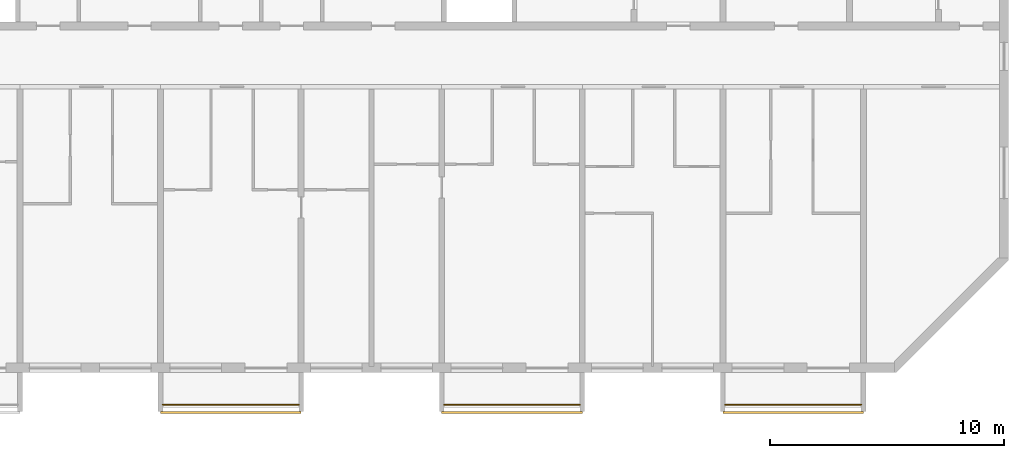
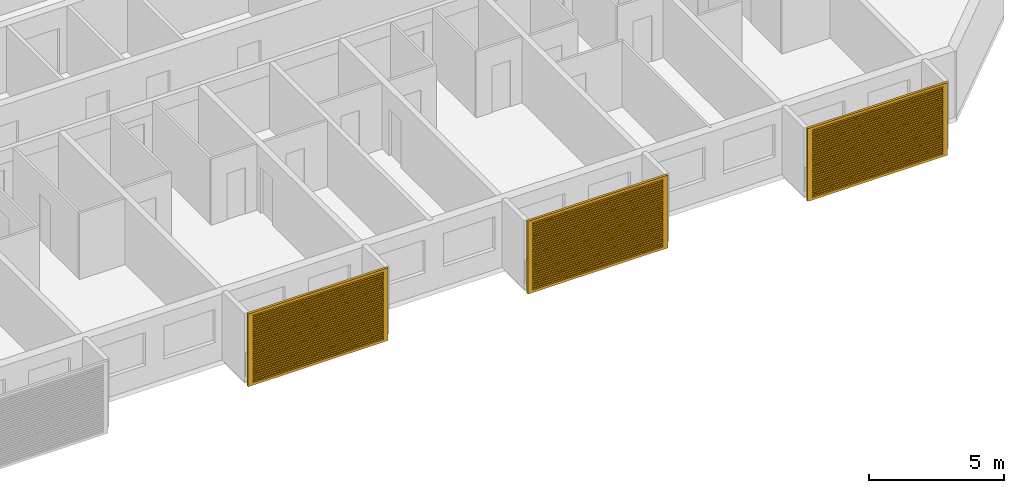
# One storey, part 16 of 20: 3 railings, 3 shading devices.
"""IFC4 building model written with IfcOpenShell, lengths in metres."""

from ifc_helpers import new_model, si_unit, direction, frame, origin, origin_2d, place, context, subcontext, project, spatial, polyline, circle, outline, extrude, source, transform, mapped, material, material_profile, profile_set, type_object, element, save


model = new_model("IFC4")

# Units and contexts
model_context = context("Model", 3, precision=1e-05, world=origin(), true_north=direction((0.0, 1.0)))
body_context = subcontext(model_context, "Body", "Model", "MODEL_VIEW")
ifc_project = project(units=[si_unit("LENGTHUNIT", "METRE"), si_unit("AREAUNIT", "SQUARE_METRE"), si_unit("VOLUMEUNIT", "CUBIC_METRE"), si_unit("PLANEANGLEUNIT", "RADIAN"), si_unit("MASSUNIT", "GRAM", prefix="KILO")], contexts=[model_context])

# Site, building, storey
site_placement = place(None, origin())
site = spatial("IfcSite", under=ifc_project, at=site_placement, CompositionType="ELEMENT")
building_placement = place(site_placement, origin())
building = spatial("IfcBuilding", under=site, at=building_placement, Name="Poui Terraces", CompositionType="ELEMENT")
storey_placement = place(building_placement, frame((0.0, 0.0, 257.699951171875)))
storey = spatial("IfcBuildingStorey", under=building, at=storey_placement, Name="L72", CompositionType="ELEMENT", Elevation=257.699951171875)

# Railings
ifc_material_1 = material(Name="Painted steel fretwork", Category="steel")
railing_type = type_object("IfcRailingType", Name="BALCONY GUARD 1100", PredefinedType="GUARDRAIL", material=ifc_material_1)
for number, where, name in (
    (1, (48.10009765625, -1.570068359375, 0.0), "BALCONY GUARD"),
    (2, (60.10009765625, -1.570068359375, 0.0), "BALCONY GUARD"),
    (3, (72.10009765625, -1.570068359375, 0.0), "BALCONY GUARD"),
):
    element("IfcRailing", number, at=place(storey_placement, frame(where)), inside=storey, type_object=railing_type, Name=name, PredefinedType="GUARDRAIL", context=body_context, shape_type="SweptSolid", body=[
        extrude(circle(Radius=0.02392578125, at=origin_2d()), frame((0.0, 0.0, 1.076171875), z_axis=(1.0, 0.0, 0.0), x_axis=(0.0, 1.0, 0.0)), (0.0, 0.0, 1.0), 5.7998046875),
        extrude(circle(Radius=0.02099609375, at=origin_2d()), origin(), (0.0, 0.0, 1.0), 1.052001953125),
        extrude(circle(Radius=0.02099609375, at=origin_2d()), frame((0.966552734375, 0.0, 0.0)), (0.0, 0.0, 1.0), 1.052001953125),
        extrude(circle(Radius=0.02099609375, at=origin_2d()), frame((1.933349609375, 0.0, 0.0)), (0.0, 0.0, 1.0), 1.052001953125),
        extrude(circle(Radius=0.02099609375, at=origin_2d()), frame((2.89990234375, 0.0, 0.0)), (0.0, 0.0, 1.0), 1.052001953125),
        extrude(circle(Radius=0.02099609375, at=origin_2d()), frame((3.866455078125, 0.0, 0.0)), (0.0, 0.0, 1.0), 1.052001953125),
        extrude(circle(Radius=0.02099609375, at=origin_2d()), frame((4.833251953125, 0.0, 0.0)), (0.0, 0.0, 1.0), 1.052001953125),
        extrude(circle(Radius=0.02099609375, at=origin_2d()), frame((5.7998046875, 0.0, 0.0)), (0.0, 0.0, 1.0), 1.052001953125),
    ])

# Shading devices
ifc_material_2 = material(Name="Aluminium louvre", Category="aluminium")
ifc_material_profile = material_profile(ifc_material_2, outline(polyline([(-3.0, -1.64990234375), (3.0, -1.64990234375), (3.0, 1.64990234375), (-3.0, 1.64990234375), (-3.0, -1.64990234375)]), holes=[polyline([(-2.800048828125, -1.530029296875), (2.800048828125, -1.530029296875), (2.800048828125, -1.469970703125), (-2.800048828125, -1.469970703125), (-2.800048828125, -1.530029296875)]), polyline([(-2.800048828125, -1.429931640625), (2.800048828125, -1.429931640625), (2.800048828125, -1.3701171875), (-2.800048828125, -1.3701171875), (-2.800048828125, -1.429931640625)]), polyline([(-2.800048828125, -1.330078125), (2.800048828125, -1.330078125), (2.800048828125, -1.27001953125), (-2.800048828125, -1.27001953125), (-2.800048828125, -1.330078125)]), polyline([(-2.800048828125, -1.22998046875), (2.800048828125, -1.22998046875), (2.800048828125, -1.169921875), (-2.800048828125, -1.169921875), (-2.800048828125, -1.22998046875)]), polyline([(-2.800048828125, -1.1298828125), (2.800048828125, -1.1298828125), (2.800048828125, -1.070068359375), (-2.800048828125, -1.070068359375), (-2.800048828125, -1.1298828125)]), polyline([(-2.800048828125, -1.030029296875), (2.800048828125, -1.030029296875), (2.800048828125, -0.969970703125), (-2.800048828125, -0.969970703125), (-2.800048828125, -1.030029296875)]), polyline([(-2.800048828125, -0.929931640625), (2.800048828125, -0.929931640625), (2.800048828125, -0.8701171875), (-2.800048828125, -0.8701171875), (-2.800048828125, -0.929931640625)]), polyline([(-2.800048828125, -0.830078125), (2.800048828125, -0.830078125), (2.800048828125, -0.77001953125), (-2.800048828125, -0.77001953125), (-2.800048828125, -0.830078125)]), polyline([(-2.800048828125, -0.72998046875), (2.800048828125, -0.72998046875), (2.800048828125, -0.669921875), (-2.800048828125, -0.669921875), (-2.800048828125, -0.72998046875)]), polyline([(-2.800048828125, -0.6298828125), (2.800048828125, -0.6298828125), (2.800048828125, -0.570068359375), (-2.800048828125, -0.570068359375), (-2.800048828125, -0.6298828125)]), polyline([(-2.800048828125, -0.530029296875), (2.800048828125, -0.530029296875), (2.800048828125, -0.469970703125), (-2.800048828125, -0.469970703125), (-2.800048828125, -0.530029296875)]), polyline([(-2.800048828125, -0.429931640625), (2.800048828125, -0.429931640625), (2.800048828125, -0.3701171875), (-2.800048828125, -0.3701171875), (-2.800048828125, -0.429931640625)]), polyline([(-2.800048828125, -0.330078125), (2.800048828125, -0.330078125), (2.800048828125, -0.27001953125), (-2.800048828125, -0.27001953125), (-2.800048828125, -0.330078125)]), polyline([(-2.800048828125, -0.22998046875), (2.800048828125, -0.22998046875), (2.800048828125, -0.169921875), (-2.800048828125, -0.169921875), (-2.800048828125, -0.22998046875)]), polyline([(-2.800048828125, -0.1298828125), (2.800048828125, -0.1298828125), (2.800048828125, -0.070068359375), (-2.800048828125, -0.070068359375), (-2.800048828125, -0.1298828125)]), polyline([(-2.800048828125, -0.030029296875), (2.800048828125, -0.030029296875), (2.800048828125, 0.030029296875), (-2.800048828125, 0.030029296875), (-2.800048828125, -0.030029296875)]), polyline([(-2.800048828125, 0.070068359375), (2.800048828125, 0.070068359375), (2.800048828125, 0.1298828125), (-2.800048828125, 0.1298828125), (-2.800048828125, 0.070068359375)]), polyline([(-2.800048828125, 0.169921875), (2.800048828125, 0.169921875), (2.800048828125, 0.22998046875), (-2.800048828125, 0.22998046875), (-2.800048828125, 0.169921875)]), polyline([(-2.800048828125, 0.27001953125), (2.800048828125, 0.27001953125), (2.800048828125, 0.330078125), (-2.800048828125, 0.330078125), (-2.800048828125, 0.27001953125)]), polyline([(-2.800048828125, 0.3701171875), (2.800048828125, 0.3701171875), (2.800048828125, 0.429931640625), (-2.800048828125, 0.429931640625), (-2.800048828125, 0.3701171875)]), polyline([(-2.800048828125, 0.469970703125), (2.800048828125, 0.469970703125), (2.800048828125, 0.530029296875), (-2.800048828125, 0.530029296875), (-2.800048828125, 0.469970703125)]), polyline([(-2.800048828125, 0.570068359375), (2.800048828125, 0.570068359375), (2.800048828125, 0.6298828125), (-2.800048828125, 0.6298828125), (-2.800048828125, 0.570068359375)]), polyline([(-2.800048828125, 0.669921875), (2.800048828125, 0.669921875), (2.800048828125, 0.72998046875), (-2.800048828125, 0.72998046875), (-2.800048828125, 0.669921875)]), polyline([(-2.800048828125, 0.77001953125), (2.800048828125, 0.77001953125), (2.800048828125, 0.830078125), (-2.800048828125, 0.830078125), (-2.800048828125, 0.77001953125)]), polyline([(-2.800048828125, 0.8701171875), (2.800048828125, 0.8701171875), (2.800048828125, 0.929931640625), (-2.800048828125, 0.929931640625), (-2.800048828125, 0.8701171875)]), polyline([(-2.800048828125, 0.969970703125), (2.800048828125, 0.969970703125), (2.800048828125, 1.030029296875), (-2.800048828125, 1.030029296875), (-2.800048828125, 0.969970703125)]), polyline([(-2.800048828125, 1.070068359375), (2.800048828125, 1.070068359375), (2.800048828125, 1.1298828125), (-2.800048828125, 1.1298828125), (-2.800048828125, 1.070068359375)]), polyline([(-2.800048828125, 1.169921875), (2.800048828125, 1.169921875), (2.800048828125, 1.22998046875), (-2.800048828125, 1.22998046875), (-2.800048828125, 1.169921875)]), polyline([(-2.800048828125, 1.27001953125), (2.800048828125, 1.27001953125), (2.800048828125, 1.330078125), (-2.800048828125, 1.330078125), (-2.800048828125, 1.27001953125)]), polyline([(-2.800048828125, 1.3701171875), (2.800048828125, 1.3701171875), (2.800048828125, 1.429931640625), (-2.800048828125, 1.429931640625), (-2.800048828125, 1.3701171875)]), polyline([(-2.800048828125, 1.469970703125), (2.800048828125, 1.469970703125), (2.800048828125, 1.530029296875), (-2.800048828125, 1.530029296875), (-2.800048828125, 1.469970703125)])]), Name="JALOUSIE LOUVRE SHUTTER 6000X3300")
ifc_profile_set = profile_set([ifc_material_profile], Name="Aluminium louvre")
shading_device_type = type_object("IfcShadingDeviceType", Name="JALOUSIE LOUVRE SHUTTER 6000X3300", PredefinedType="JALOUSIE", material=ifc_profile_set)
shared_shape = source(origin(), body_context, "Body", "SweptSolid", [
    extrude(outline(polyline([(-3.0, -1.64990234375), (3.0, -1.64990234375), (3.0, 1.64990234375), (-3.0, 1.64990234375), (-3.0, -1.64990234375)]), holes=[polyline([(-2.800048828125, -1.530029296875), (2.800048828125, -1.530029296875), (2.800048828125, -1.469970703125), (-2.800048828125, -1.469970703125), (-2.800048828125, -1.530029296875)]), polyline([(-2.800048828125, -1.429931640625), (2.800048828125, -1.429931640625), (2.800048828125, -1.3701171875), (-2.800048828125, -1.3701171875), (-2.800048828125, -1.429931640625)]), polyline([(-2.800048828125, -1.330078125), (2.800048828125, -1.330078125), (2.800048828125, -1.27001953125), (-2.800048828125, -1.27001953125), (-2.800048828125, -1.330078125)]), polyline([(-2.800048828125, -1.22998046875), (2.800048828125, -1.22998046875), (2.800048828125, -1.169921875), (-2.800048828125, -1.169921875), (-2.800048828125, -1.22998046875)]), polyline([(-2.800048828125, -1.1298828125), (2.800048828125, -1.1298828125), (2.800048828125, -1.070068359375), (-2.800048828125, -1.070068359375), (-2.800048828125, -1.1298828125)]), polyline([(-2.800048828125, -1.030029296875), (2.800048828125, -1.030029296875), (2.800048828125, -0.969970703125), (-2.800048828125, -0.969970703125), (-2.800048828125, -1.030029296875)]), polyline([(-2.800048828125, -0.929931640625), (2.800048828125, -0.929931640625), (2.800048828125, -0.8701171875), (-2.800048828125, -0.8701171875), (-2.800048828125, -0.929931640625)]), polyline([(-2.800048828125, -0.830078125), (2.800048828125, -0.830078125), (2.800048828125, -0.77001953125), (-2.800048828125, -0.77001953125), (-2.800048828125, -0.830078125)]), polyline([(-2.800048828125, -0.72998046875), (2.800048828125, -0.72998046875), (2.800048828125, -0.669921875), (-2.800048828125, -0.669921875), (-2.800048828125, -0.72998046875)]), polyline([(-2.800048828125, -0.6298828125), (2.800048828125, -0.6298828125), (2.800048828125, -0.570068359375), (-2.800048828125, -0.570068359375), (-2.800048828125, -0.6298828125)]), polyline([(-2.800048828125, -0.530029296875), (2.800048828125, -0.530029296875), (2.800048828125, -0.469970703125), (-2.800048828125, -0.469970703125), (-2.800048828125, -0.530029296875)]), polyline([(-2.800048828125, -0.429931640625), (2.800048828125, -0.429931640625), (2.800048828125, -0.3701171875), (-2.800048828125, -0.3701171875), (-2.800048828125, -0.429931640625)]), polyline([(-2.800048828125, -0.330078125), (2.800048828125, -0.330078125), (2.800048828125, -0.27001953125), (-2.800048828125, -0.27001953125), (-2.800048828125, -0.330078125)]), polyline([(-2.800048828125, -0.22998046875), (2.800048828125, -0.22998046875), (2.800048828125, -0.169921875), (-2.800048828125, -0.169921875), (-2.800048828125, -0.22998046875)]), polyline([(-2.800048828125, -0.1298828125), (2.800048828125, -0.1298828125), (2.800048828125, -0.070068359375), (-2.800048828125, -0.070068359375), (-2.800048828125, -0.1298828125)]), polyline([(-2.800048828125, -0.030029296875), (2.800048828125, -0.030029296875), (2.800048828125, 0.030029296875), (-2.800048828125, 0.030029296875), (-2.800048828125, -0.030029296875)]), polyline([(-2.800048828125, 0.070068359375), (2.800048828125, 0.070068359375), (2.800048828125, 0.1298828125), (-2.800048828125, 0.1298828125), (-2.800048828125, 0.070068359375)]), polyline([(-2.800048828125, 0.169921875), (2.800048828125, 0.169921875), (2.800048828125, 0.22998046875), (-2.800048828125, 0.22998046875), (-2.800048828125, 0.169921875)]), polyline([(-2.800048828125, 0.27001953125), (2.800048828125, 0.27001953125), (2.800048828125, 0.330078125), (-2.800048828125, 0.330078125), (-2.800048828125, 0.27001953125)]), polyline([(-2.800048828125, 0.3701171875), (2.800048828125, 0.3701171875), (2.800048828125, 0.429931640625), (-2.800048828125, 0.429931640625), (-2.800048828125, 0.3701171875)]), polyline([(-2.800048828125, 0.469970703125), (2.800048828125, 0.469970703125), (2.800048828125, 0.530029296875), (-2.800048828125, 0.530029296875), (-2.800048828125, 0.469970703125)]), polyline([(-2.800048828125, 0.570068359375), (2.800048828125, 0.570068359375), (2.800048828125, 0.6298828125), (-2.800048828125, 0.6298828125), (-2.800048828125, 0.570068359375)]), polyline([(-2.800048828125, 0.669921875), (2.800048828125, 0.669921875), (2.800048828125, 0.72998046875), (-2.800048828125, 0.72998046875), (-2.800048828125, 0.669921875)]), polyline([(-2.800048828125, 0.77001953125), (2.800048828125, 0.77001953125), (2.800048828125, 0.830078125), (-2.800048828125, 0.830078125), (-2.800048828125, 0.77001953125)]), polyline([(-2.800048828125, 0.8701171875), (2.800048828125, 0.8701171875), (2.800048828125, 0.929931640625), (-2.800048828125, 0.929931640625), (-2.800048828125, 0.8701171875)]), polyline([(-2.800048828125, 0.969970703125), (2.800048828125, 0.969970703125), (2.800048828125, 1.030029296875), (-2.800048828125, 1.030029296875), (-2.800048828125, 0.969970703125)]), polyline([(-2.800048828125, 1.070068359375), (2.800048828125, 1.070068359375), (2.800048828125, 1.1298828125), (-2.800048828125, 1.1298828125), (-2.800048828125, 1.070068359375)]), polyline([(-2.800048828125, 1.169921875), (2.800048828125, 1.169921875), (2.800048828125, 1.22998046875), (-2.800048828125, 1.22998046875), (-2.800048828125, 1.169921875)]), polyline([(-2.800048828125, 1.27001953125), (2.800048828125, 1.27001953125), (2.800048828125, 1.330078125), (-2.800048828125, 1.330078125), (-2.800048828125, 1.27001953125)]), polyline([(-2.800048828125, 1.3701171875), (2.800048828125, 1.3701171875), (2.800048828125, 1.429931640625), (-2.800048828125, 1.429931640625), (-2.800048828125, 1.3701171875)]), polyline([(-2.800048828125, 1.469970703125), (2.800048828125, 1.469970703125), (2.800048828125, 1.530029296875), (-2.800048828125, 1.530029296875), (-2.800048828125, 1.469970703125)])]), origin(), (0.0, 0.0, 1.0), 0.099853515625),
])
for number, where, z_axis, x_axis, name in (
    (4, (51.0, -1.85009765625, 1.449951171875), (0.0, -1.0, 0.0), (1.0, 0.0, 0.0), "JALOUSIE LOUVRE SHUTTER"),
    (5, (63.0, -1.85009765625, 1.449951171875), (0.0, -1.0, 0.0), (1.0, 0.0, 0.0), "JALOUSIE LOUVRE SHUTTER"),
    (6, (75.0, -1.85009765625, 1.449951171875), (0.0, -1.0, 0.0), (1.0, 0.0, 0.0), "JALOUSIE LOUVRE SHUTTER"),
):
    element("IfcShadingDevice", number, at=place(storey_placement, frame(where, z_axis=z_axis, x_axis=x_axis)), inside=storey, type_object=shading_device_type, Name=name, PredefinedType="JALOUSIE", context=body_context, shape_type="MappedRepresentation", body=[
        mapped(shared_shape, transform((0.0, 0.0, 0.0))),
    ])

save(model, "model.ifc")
